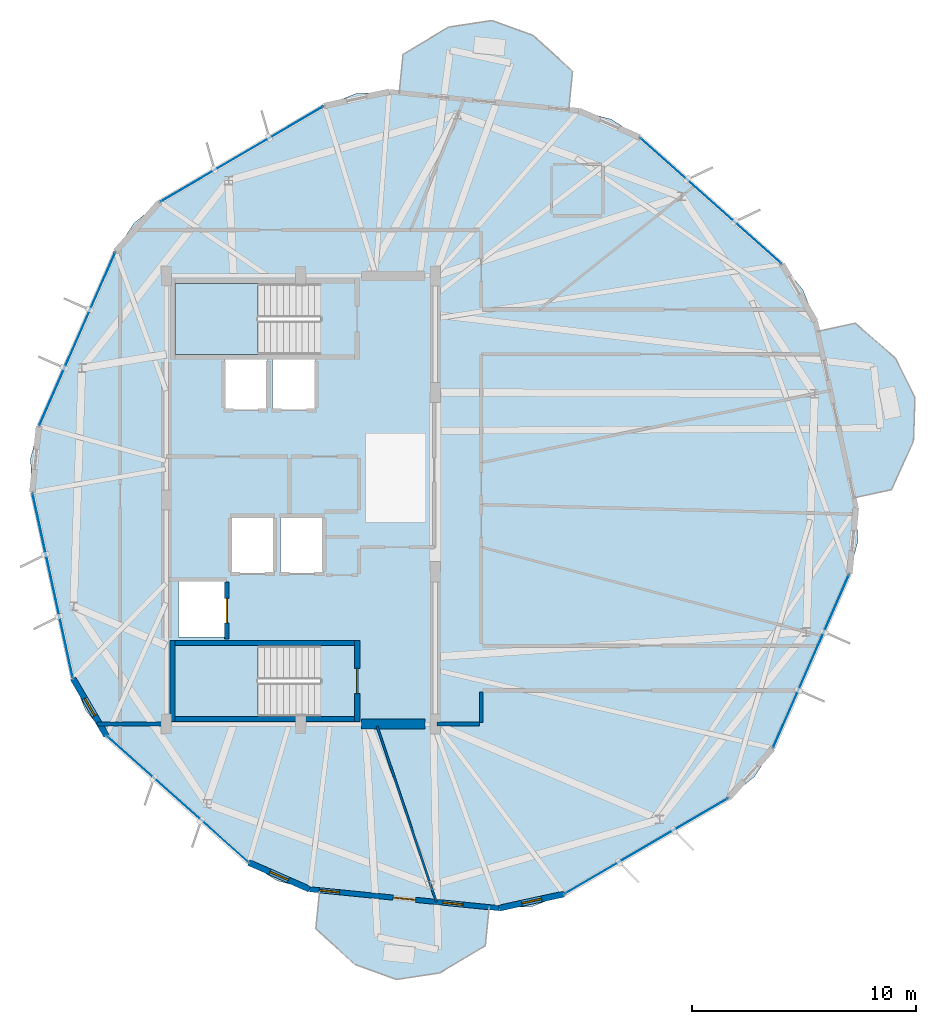
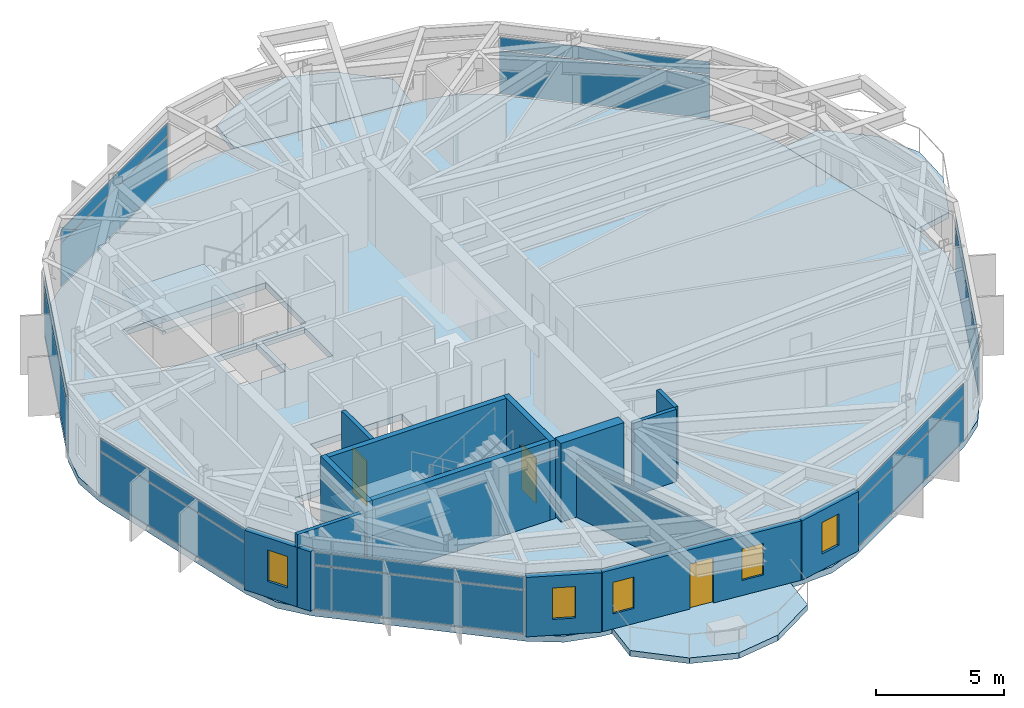
# One storey, part 19 of 25: 14 plates, 14 walls, 6 slabs, 5 windows, 3 doors, 8 openings, 9 elements without a shape of their own.
"""IFC4 building model written with IfcOpenShell, lengths in metres."""

from ifc_helpers import new_model, si_unit, direction, frame, frame_2d, origin, origin_2d, place, context, subcontext, project, spatial, polyline, rectangle, outline, extrude, material, layer, layer_set, type_object, element, fill, aggregate, save


model = new_model("IFC4")

# Units and contexts
model_context = context("Model", 3, precision=1e-05, world=origin(), true_north=direction((0.0, 1.0)))
body_context = subcontext(model_context, "Body", "Model", "MODEL_VIEW")
ifc_project = project(units=[si_unit("LENGTHUNIT", "METRE"), si_unit("AREAUNIT", "SQUARE_METRE"), si_unit("VOLUMEUNIT", "CUBIC_METRE"), si_unit("PLANEANGLEUNIT", "RADIAN"), si_unit("MASSUNIT", "GRAM", prefix="KILO")], contexts=[model_context])

# Site, building, storey
site_placement = place(None, origin())
site = spatial("IfcSite", under=ifc_project, at=site_placement, CompositionType="ELEMENT")
building_placement = place(site_placement, origin())
building = spatial("IfcBuilding", under=site, at=building_placement, Name="Soratama Intermodal Tower", CompositionType="ELEMENT")
storey_placement = place(building_placement, frame((0.0, 0.0, 276.25)))
storey = spatial("IfcBuildingStorey", under=building, at=storey_placement, Name="L70", CompositionType="ELEMENT", Elevation=276.25)

# Curtain wall, plates
ifc_material_1 = material(Name="Double-glazed aluminium curtain wall", Category="aluminium")
ifc_layer_1 = layer(ifc_material_1, 0.159912109375)
ifc_layer_set_1 = layer_set([ifc_layer_1], Name="Double-glazed aluminium curtain wall")
curtain_wall_type = type_object("IfcCurtainWallType", Name="CW-SYS-5", PredefinedType="NOTDEFINED", material=ifc_layer_set_1)
curtain_wall_1_placement = place(storey_placement, origin())
curtain_wall_1 = element("IfcCurtainWall", 1, at=curtain_wall_1_placement, inside=storey, type_object=curtain_wall_type, Name="L70 Faceted Curtain Wall F02", PredefinedType="NOTDEFINED")
ifc_material_2 = material(Name="Low-E laminated double glazing", Category="glass")
ifc_layer_2 = layer(ifc_material_2, 0.02001953125)
ifc_layer_set_2 = layer_set([ifc_layer_2], Name="Low-E laminated double glazing")
plate_type = type_object("IfcPlateType", Name="PT-CWP-5", PredefinedType="CURTAIN_PANEL", material=ifc_layer_set_2)
plate_1_placement = place(storey_placement, frame((35.979248046875, 40.4375, 0.06005859375), z_axis=(0.0, 0.0, 1.0), x_axis=(-0.863395039754, -0.504528498033, 0.0)))
plate_1 = element("IfcPlate", 2, at=plate_1_placement, type_object=plate_type, Name="CW-5 panel 1.1", PredefinedType="CURTAIN_PANEL", context=body_context, shape_type="SweptSolid", body=[
    extrude(rectangle(XDim=8.3798828125, YDim=0.028076171875, at=origin_2d()), origin(), (0.0, 0.0, 1.0), 2.06005859375),
])
plate_2_placement = place(storey_placement, frame((35.979248046875, 40.4375, 2.18017578125), z_axis=(0.0, 0.0, 1.0), x_axis=(-0.863395039754, -0.504528498033, 0.0)))
plate_2 = element("IfcPlate", 3, at=plate_2_placement, type_object=plate_type, Name="CW-5 panel 1.2", PredefinedType="CURTAIN_PANEL", context=body_context, shape_type="SweptSolid", body=[
    extrude(rectangle(XDim=8.3798828125, YDim=0.028076171875, at=origin_2d()), origin(), (0.0, 0.0, 1.0), 0.589111328125),
])
aggregate(curtain_wall_1, [plate_1, plate_2])

curtain_wall_2_placement = place(storey_placement, origin())
curtain_wall_2 = element("IfcCurtainWall", 4, at=curtain_wall_2_placement, inside=storey, type_object=curtain_wall_type, Name="L70 Faceted Curtain Wall F03", PredefinedType="NOTDEFINED")
plate_3_placement = place(storey_placement, frame((28.6279296875, 32.186767578125, 0.06005859375), z_axis=(0.0, 0.0, 1.0), x_axis=(-0.401952290369, -0.915660611945, 0.0)))
plate_3 = element("IfcPlate", 5, at=plate_3_placement, type_object=plate_type, Name="CW-5 panel 1.1", PredefinedType="CURTAIN_PANEL", context=body_context, shape_type="SweptSolid", body=[
    extrude(rectangle(XDim=8.3798828125, YDim=0.028076171875, at=origin_2d()), origin(), (0.0, 0.0, 1.0), 2.06005859375),
])
plate_4_placement = place(storey_placement, frame((28.6279296875, 32.186767578125, 2.18017578125), z_axis=(0.0, 0.0, 1.0), x_axis=(-0.401952290369, -0.915660611945, 0.0)))
plate_4 = element("IfcPlate", 6, at=plate_4_placement, type_object=plate_type, Name="CW-5 panel 1.2", PredefinedType="CURTAIN_PANEL", context=body_context, shape_type="SweptSolid", body=[
    extrude(rectangle(XDim=8.3798828125, YDim=0.028076171875, at=origin_2d()), origin(), (0.0, 0.0, 1.0), 0.589111328125),
])
aggregate(curtain_wall_2, [plate_3, plate_4])

curtain_wall_3_placement = place(storey_placement, origin())
curtain_wall_3 = element("IfcCurtainWall", 7, at=curtain_wall_3_placement, inside=storey, type_object=curtain_wall_type, Name="L70 Faceted Curtain Wall F04", PredefinedType="NOTDEFINED")
plate_5_placement = place(storey_placement, frame((27.530517578125, 21.191162109375, 0.06005859375), z_axis=(0.0, 0.0, 1.0), x_axis=(0.213028429004, -0.977046001187, 0.0)))
plate_5 = element("IfcPlate", 8, at=plate_5_placement, type_object=plate_type, Name="CW-5 panel 1.1", PredefinedType="CURTAIN_PANEL", context=body_context, shape_type="SweptSolid", body=[
    extrude(rectangle(XDim=8.3798828125, YDim=0.028076171875, at=origin_2d()), origin(), (0.0, 0.0, 1.0), 2.06005859375),
])
plate_6_placement = place(storey_placement, frame((27.530517578125, 21.191162109375, 2.18017578125), z_axis=(0.0, 0.0, 1.0), x_axis=(0.213028429004, -0.977046001187, 0.0)))
plate_6 = element("IfcPlate", 9, at=plate_6_placement, type_object=plate_type, Name="CW-5 panel 1.2", PredefinedType="CURTAIN_PANEL", context=body_context, shape_type="SweptSolid", body=[
    extrude(rectangle(XDim=8.3798828125, YDim=0.028076171875, at=origin_2d()), origin(), (0.0, 0.0, 1.0), 0.589111328125),
])
aggregate(curtain_wall_3, [plate_5, plate_6])

curtain_wall_4_placement = place(storey_placement, origin())
curtain_wall_4 = element("IfcCurtainWall", 10, at=curtain_wall_4_placement, inside=storey, type_object=curtain_wall_type, Name="L70 Faceted Curtain Wall F05", PredefinedType="NOTDEFINED")
plate_7_placement = place(storey_placement, frame((33.105712890625, 11.650146484375, 0.06005859375), z_axis=(0.0, 0.0, 1.0), x_axis=(0.746635087881, -0.665233827722, 0.0)))
plate_7 = element("IfcPlate", 11, at=plate_7_placement, type_object=plate_type, Name="CW-5 panel 1.1", PredefinedType="CURTAIN_PANEL", context=body_context, shape_type="SweptSolid", body=[
    extrude(rectangle(XDim=8.3798828125, YDim=0.028076171875, at=origin_2d()), origin(), (0.0, 0.0, 1.0), 2.06005859375),
])
plate_8_placement = place(storey_placement, frame((33.105712890625, 11.650146484375, 2.18017578125), z_axis=(0.0, 0.0, 1.0), x_axis=(0.746635087881, -0.665233827722, 0.0)))
plate_8 = element("IfcPlate", 12, at=plate_8_placement, type_object=plate_type, Name="CW-5 panel 1.2", PredefinedType="CURTAIN_PANEL", context=body_context, shape_type="SweptSolid", body=[
    extrude(rectangle(XDim=8.3798828125, YDim=0.028076171875, at=origin_2d()), origin(), (0.0, 0.0, 1.0), 0.589111328125),
])
aggregate(curtain_wall_4, [plate_7, plate_8])

curtain_wall_5_placement = place(storey_placement, origin())
curtain_wall_5 = element("IfcCurtainWall", 13, at=curtain_wall_5_placement, inside=storey, type_object=curtain_wall_type, Name="L70 Faceted Curtain Wall F07", PredefinedType="NOTDEFINED")
plate_9_placement = place(storey_placement, frame((54.020751953125, 9.5625, 0.06005859375), z_axis=(0.0, 0.0, 1.0), x_axis=(0.863395039754, 0.504528498033, 0.0)))
plate_9 = element("IfcPlate", 14, at=plate_9_placement, type_object=plate_type, Name="CW-5 panel 1.1", PredefinedType="CURTAIN_PANEL", context=body_context, shape_type="SweptSolid", body=[
    extrude(rectangle(XDim=8.3798828125, YDim=0.028076171875, at=origin_2d()), origin(), (0.0, 0.0, 1.0), 2.06005859375),
])
plate_10_placement = place(storey_placement, frame((54.020751953125, 9.5625, 2.18017578125), z_axis=(0.0, 0.0, 1.0), x_axis=(0.863395039754, 0.504528498033, 0.0)))
plate_10 = element("IfcPlate", 15, at=plate_10_placement, type_object=plate_type, Name="CW-5 panel 1.2", PredefinedType="CURTAIN_PANEL", context=body_context, shape_type="SweptSolid", body=[
    extrude(rectangle(XDim=8.3798828125, YDim=0.028076171875, at=origin_2d()), origin(), (0.0, 0.0, 1.0), 0.589111328125),
])
aggregate(curtain_wall_5, [plate_9, plate_10])

curtain_wall_6_placement = place(storey_placement, origin())
curtain_wall_6 = element("IfcCurtainWall", 16, at=curtain_wall_6_placement, inside=storey, type_object=curtain_wall_type, Name="L70 Faceted Curtain Wall F08", PredefinedType="NOTDEFINED")
plate_11_placement = place(storey_placement, frame((61.3720703125, 17.813232421875, 0.06005859375), z_axis=(0.0, 0.0, 1.0), x_axis=(0.401952290369, 0.915660611945, 0.0)))
plate_11 = element("IfcPlate", 17, at=plate_11_placement, type_object=plate_type, Name="CW-5 panel 1.1", PredefinedType="CURTAIN_PANEL", context=body_context, shape_type="SweptSolid", body=[
    extrude(rectangle(XDim=8.3798828125, YDim=0.028076171875, at=origin_2d()), origin(), (0.0, 0.0, 1.0), 2.06005859375),
])
plate_12_placement = place(storey_placement, frame((61.3720703125, 17.813232421875, 2.18017578125), z_axis=(0.0, 0.0, 1.0), x_axis=(0.401952290369, 0.915660611945, 0.0)))
plate_12 = element("IfcPlate", 18, at=plate_12_placement, type_object=plate_type, Name="CW-5 panel 1.2", PredefinedType="CURTAIN_PANEL", context=body_context, shape_type="SweptSolid", body=[
    extrude(rectangle(XDim=8.3798828125, YDim=0.028076171875, at=origin_2d()), origin(), (0.0, 0.0, 1.0), 0.589111328125),
])
aggregate(curtain_wall_6, [plate_11, plate_12])

curtain_wall_7_placement = place(storey_placement, origin())
curtain_wall_7 = element("IfcCurtainWall", 19, at=curtain_wall_7_placement, inside=storey, type_object=curtain_wall_type, Name="L70 Faceted Curtain Wall F10", PredefinedType="NOTDEFINED")
plate_13_placement = place(storey_placement, frame((56.894287109375, 38.349853515625, 0.06005859375), z_axis=(0.0, 0.0, 1.0), x_axis=(-0.746635087881, 0.665233827722, 0.0)))
plate_13 = element("IfcPlate", 20, at=plate_13_placement, type_object=plate_type, Name="CW-5 panel 1.1", PredefinedType="CURTAIN_PANEL", context=body_context, shape_type="SweptSolid", body=[
    extrude(rectangle(XDim=8.3798828125, YDim=0.028076171875, at=origin_2d()), origin(), (0.0, 0.0, 1.0), 2.06005859375),
])
plate_14_placement = place(storey_placement, frame((56.894287109375, 38.349853515625, 2.18017578125), z_axis=(0.0, 0.0, 1.0), x_axis=(-0.746635087881, 0.665233827722, 0.0)))
plate_14 = element("IfcPlate", 21, at=plate_14_placement, type_object=plate_type, Name="CW-5 panel 1.2", PredefinedType="CURTAIN_PANEL", context=body_context, shape_type="SweptSolid", body=[
    extrude(rectangle(XDim=8.3798828125, YDim=0.028076171875, at=origin_2d()), origin(), (0.0, 0.0, 1.0), 0.589111328125),
])
aggregate(curtain_wall_7, [plate_13, plate_14])

# Slabs
ifc_material_3 = material(Name="Concrete f'c 42 MPa", Category="concrete")
ifc_layer_3 = layer(ifc_material_3, 0.27001953125)
ifc_layer_set_3 = layer_set([ifc_layer_3], Name="Concrete f'c 42 MPa")
slab_type_1 = type_object("IfcSlabType", Name="SL-EXT-BAL1", PredefinedType="FLOOR", material=ifc_layer_set_3)
slab_1_placement = place(storey_placement, frame((0.0, 0.0, -0.27001953125)))
element("IfcSlab", 22, at=slab_1_placement, inside=storey, type_object=slab_type_1, Name="L70 Planted Balcony East 1", PredefinedType="FLOOR", context=body_context, shape_type="SweptSolid", body=[
    extrude(outline(polyline([(63.27880859375, 25.09619140625), (61.659912109375, 32.521484375), (63.340576171875, 32.887939453125), (65.1279296875, 31.333251953125), (66.00634765625, 29.580078125), (65.9375, 27.62060546875), (64.95947265625, 25.462646484375), (63.27880859375, 25.09619140625)])), origin(), (0.0, 0.0, 1.0), 0.27001953125),
])
slab_2_placement = place(storey_placement, frame((0.0, 0.0, -0.27001953125)))
element("IfcSlab", 23, at=slab_2_placement, inside=storey, type_object=slab_type_1, Name="L70 Planted Balcony North 2", PredefinedType="FLOOR", context=body_context, shape_type="SweptSolid", body=[
    extrude(outline(polyline([(50.556884765625, 42.4140625), (42.99462890625, 43.1689453125), (43.16552734375, 44.88037109375), (45.196533203125, 46.099853515625), (47.13525390625, 46.3935546875), (48.977783203125, 45.722412109375), (50.727783203125, 44.12548828125), (50.556884765625, 42.4140625)])), origin(), (0.0, 0.0, 1.0), 0.27001953125),
])
slab_3_placement = place(storey_placement, frame((0.0, 0.0, -0.27001953125)))
element("IfcSlab", 24, at=slab_3_placement, inside=storey, type_object=slab_type_1, Name="L70 Planted Balcony South 3", PredefinedType="FLOOR", context=body_context, shape_type="SweptSolid", body=[
    extrude(outline(polyline([(39.443115234375, 7.5859375), (47.00537109375, 6.8310546875), (46.83447265625, 5.11962890625), (44.803466796875, 3.900146484375), (42.86474609375, 3.6064453125), (41.022216796875, 4.277587890625), (39.272216796875, 5.87451171875), (39.443115234375, 7.5859375)])), origin(), (0.0, 0.0, 1.0), 0.27001953125),
])

# Stair, slab
ifc_material_4 = material(Name="Concrete f'c 42 MPa", Category="concrete")
stair_type = type_object("IfcStairType", Name="ST-CORE-DOGLEG", PredefinedType="HALF_TURN_STAIR", material=ifc_material_4)
stair_1_placement = place(storey_placement, origin())
stair_1 = element("IfcStair", 25, at=stair_1_placement, inside=storey, type_object=stair_type, Name="L70 ST-1", PredefinedType="HALF_TURN_STAIR")
ifc_material_5 = material(Name="Concrete f'c 42 MPa", Category="concrete")
ifc_layer_4 = layer(ifc_material_5, 0.219970703125)
ifc_layer_set_4 = layer_set([ifc_layer_4], Name="Concrete f'c 42 MPa")
slab_type_2 = type_object("IfcSlabType", Name="SL-STAIR-LAND", PredefinedType="LANDING", material=ifc_layer_set_4)
slab_4_placement = place(storey_placement, frame((0.0, 0.0, 1.675048828125)))
slab_4 = element("IfcSlab", 26, at=slab_4_placement, type_object=slab_type_2, Name="ST-1 landing 1", PredefinedType="LANDING", context=body_context, shape_type="SweptSolid", body=[
    extrude(outline(polyline([(36.699951171875, 18.5), (33.0, 18.5), (33.0, 15.35009765625), (36.699951171875, 15.35009765625), (36.699951171875, 18.5)])), origin(), (0.0, 0.0, 1.0), 0.199951171875),
])
aggregate(stair_1, [slab_4])

stair_2_placement = place(storey_placement, origin())
stair_2 = element("IfcStair", 27, at=stair_2_placement, inside=storey, type_object=stair_type, Name="L70 ST-2", PredefinedType="HALF_TURN_STAIR")
slab_5_placement = place(storey_placement, frame((0.0, 0.0, 1.675048828125)))
slab_5 = element("IfcSlab", 28, at=slab_5_placement, type_object=slab_type_2, Name="ST-2 landing 1", PredefinedType="LANDING", context=body_context, shape_type="SweptSolid", body=[
    extrude(outline(polyline([(36.699951171875, 34.64990234375), (33.0, 34.64990234375), (33.0, 31.5), (36.699951171875, 31.5), (36.699951171875, 34.64990234375)])), origin(), (0.0, 0.0, 1.0), 0.199951171875),
])
aggregate(stair_2, [slab_5])

# Slab
ifc_material_6 = material(Name="Concrete f'c 42 MPa", Category="concrete")
ifc_layer_5 = layer(ifc_material_6, 0.280029296875)
ifc_layer_set_5 = layer_set([ifc_layer_5], Name="Concrete f'c 42 MPa")
slab_type_3 = type_object("IfcSlabType", Name="SL-TWR-280", PredefinedType="FLOOR", material=ifc_layer_set_5)
slab_6_placement = place(storey_placement, frame((0.0, 0.0, -0.300048828125)))
element("IfcSlab", 29, at=slab_6_placement, inside=storey, type_object=slab_type_3, Name="L70 Structural Floor Slab", PredefinedType="FLOOR", context=body_context, shape_type="SweptSolid", body=[
    extrude(outline(polyline([(53.72119140625, 41.177001953125), (52.457275390625, 41.98828125), (51.004638671875, 42.369384765625), (42.546875, 43.213623046875), (41.047607421875, 43.127197265625), (39.6484375, 42.58154296875), (32.309814453125, 38.293212890625), (31.147705078125, 37.342041015625), (30.336181640625, 36.078125), (26.919921875, 28.29541015625), (26.538818359375, 26.8427734375), (26.625244140625, 25.343505859375), (28.435791015625, 17.038818359375), (28.9814453125, 15.639404296875), (29.9326171875, 14.477294921875), (36.27880859375, 8.822998046875), (37.542724609375, 8.01171875), (38.995361328125, 7.630615234375), (47.453125, 6.786376953125), (48.952392578125, 6.872802734375), (50.3515625, 7.41845703125), (57.690185546875, 11.706787109375), (58.852294921875, 12.657958984375), (59.663818359375, 13.921875), (63.080078125, 21.70458984375), (63.461181640625, 23.1572265625), (63.374755859375, 24.656494140625), (61.564208984375, 32.961181640625), (61.0185546875, 34.360595703125), (60.0673828125, 35.522705078125), (53.72119140625, 41.177001953125)]), holes=[polyline([(33.0, 15.35009765625), (39.47509765625, 15.35009765625), (39.47509765625, 18.5), (33.0, 18.5), (33.0, 15.35009765625)]), polyline([(35.260009765625, 21.409912109375), (33.139892578125, 21.409912109375), (33.139892578125, 18.889892578125), (35.260009765625, 18.889892578125), (35.260009765625, 21.409912109375)]), polyline([(37.409912109375, 24.260009765625), (35.489990234375, 24.260009765625), (35.489990234375, 21.739990234375), (37.409912109375, 21.739990234375), (37.409912109375, 24.260009765625)]), polyline([(39.610107421875, 24.260009765625), (37.68994140625, 24.260009765625), (37.68994140625, 21.739990234375), (39.610107421875, 21.739990234375), (39.610107421875, 24.260009765625)]), polyline([(37.110107421875, 31.260009765625), (35.18994140625, 31.260009765625), (35.18994140625, 29.0400390625), (37.110107421875, 29.0400390625), (37.110107421875, 31.260009765625)]), polyline([(39.260009765625, 31.260009765625), (37.340087890625, 31.260009765625), (37.340087890625, 29.0400390625), (39.260009765625, 29.0400390625), (39.260009765625, 31.260009765625)]), polyline([(33.0, 34.64990234375), (33.0, 31.5), (39.47509765625, 31.5), (39.47509765625, 34.64990234375), (33.0, 34.64990234375)])]), origin(), (0.0, 0.0, 1.0), 0.300048828125),
])

# Wall, openings, door, windows
ifc_material_7 = material(Name="Concrete f'c 42 MPa", Category="concrete")
ifc_layer_6 = layer(ifc_material_7, 0.22998046875)
ifc_layer_set_6 = layer_set([ifc_layer_6], Name="Concrete f'c 42 MPa")
wall_type_1 = type_object("IfcWallType", Name="EW-BAL-230", PredefinedType="SOLIDWALL", material=ifc_layer_set_6)
wall_1_placement = place(storey_placement, frame((38.995361328125, 7.630615234375, 0.0), z_axis=(0.0, 0.0, 1.0), x_axis=(0.995055090482, -0.099324553384, 0.0)))
wall_1 = element("IfcWall", 30, at=wall_1_placement, inside=storey, type_object=wall_type_1, Name="L70 Terrace Wall F06", PredefinedType="SOLIDWALL", context=body_context, shape_type="SweptSolid", body=[
    extrude(rectangle(XDim=8.499755859375, YDim=0.22998046875, at=frame_2d((4.25, 0.0))), origin(), (0.0, 0.0, 1.0), 2.8291015625),
])
opening_1_placement = place(wall_1_placement, frame((3.75, 0.0, 0.0)))
opening_1 = element("IfcOpeningElement", 31, at=opening_1_placement, cuts=wall_1, Name="Opening ED-2", PredefinedType="OPENING", context=body_context, shape_type="SweptSolid", body=[
    extrude(rectangle(XDim=1.0, YDim=2.14990234375, at=frame_2d((0.5, 1.074951171875))), frame((0.0, 0.125, 0.0), z_axis=(0.0, -1.0, 0.0), x_axis=(1.0, 0.0, 0.0)), (0.0, 0.0, 1.0), 0.25),
])
opening_2_placement = place(wall_1_placement, frame((0.43994140625, 0.0, 0.719970703125)))
opening_2 = element("IfcOpeningElement", 32, at=opening_2_placement, cuts=wall_1, Name="Opening WN-6", PredefinedType="OPENING", context=body_context, shape_type="SweptSolid", body=[
    extrude(rectangle(XDim=0.89990234375, YDim=1.5, at=frame_2d((0.449951171875, 0.75))), frame((0.0, 0.125, 0.0), z_axis=(0.0, -1.0, 0.0), x_axis=(1.0, 0.0, 0.0)), (0.0, 0.0, 1.0), 0.25),
])
opening_3_placement = place(wall_1_placement, frame((5.97998046875, 0.0, 0.719970703125)))
opening_3 = element("IfcOpeningElement", 33, at=opening_3_placement, cuts=wall_1, Name="Opening WN-6", PredefinedType="OPENING", context=body_context, shape_type="SweptSolid", body=[
    extrude(rectangle(XDim=0.89990234375, YDim=1.5, at=frame_2d((0.449951171875, 0.75))), frame((0.0, 0.125, 0.0), z_axis=(0.0, -1.0, 0.0), x_axis=(1.0, 0.0, 0.0)), (0.0, 0.0, 1.0), 0.25),
])
ifc_material_8 = material(Name="Double-glazed aluminium door", Category="aluminium")
door_type_1 = type_object("IfcDoorType", Name="DR-BAL-1000", OperationType="NOTDEFINED", PredefinedType="DOOR", material=ifc_material_8)
door_1_placement = place(opening_1_placement, origin())
door_1 = element("IfcDoor", 34, at=door_1_placement, inside=storey, type_object=door_type_1, Name="L70 Balcony Door F06", OperationType="SINGLE_SWING_RIGHT", OverallHeight=2.14990234375, OverallWidth=1.0, PredefinedType="DOOR", context=body_context, shape_type="SweptSolid", body=[
    extrude(rectangle(XDim=1.0, YDim=2.14990234375, at=frame_2d((0.5, 1.074951171875))), frame((0.0, 0.02490234375, 0.0), z_axis=(0.0, -1.0, 0.0), x_axis=(1.0, 0.0, 0.0)), (0.0, 0.0, 1.0), 0.050048828125),
])
fill(opening_1, door_1)
ifc_material_9 = material(Name="Double-glazed aluminium window", Category="aluminium")
window_type = type_object("IfcWindowType", Name="WN-FAC-900", PartitioningType="SINGLE_PANEL", PredefinedType="WINDOW", material=ifc_material_9)
window_1_placement = place(opening_2_placement, origin())
window_1 = element("IfcWindow", 35, at=window_1_placement, inside=storey, type_object=window_type, Name="L70 Window A F06", OverallHeight=1.5, OverallWidth=0.89990234375, PartitioningType="SINGLE_PANEL", PredefinedType="WINDOW", context=body_context, shape_type="SweptSolid", body=[
    extrude(rectangle(XDim=0.89990234375, YDim=1.5, at=frame_2d((0.449951171875, 0.75))), frame((0.0, 0.030029296875, 0.0), z_axis=(0.0, -1.0, 0.0), x_axis=(1.0, 0.0, 0.0)), (0.0, 0.0, 1.0), 0.06005859375),
])
fill(opening_2, window_1)
window_2_placement = place(opening_3_placement, origin())
window_2 = element("IfcWindow", 36, at=window_2_placement, inside=storey, type_object=window_type, Name="L70 Window B F06", OverallHeight=1.5, OverallWidth=0.89990234375, PartitioningType="SINGLE_PANEL", PredefinedType="WINDOW", context=body_context, shape_type="SweptSolid", body=[
    extrude(rectangle(XDim=0.89990234375, YDim=1.5, at=frame_2d((0.449951171875, 0.75))), frame((0.0, 0.030029296875, 0.0), z_axis=(0.0, -1.0, 0.0), x_axis=(1.0, 0.0, 0.0)), (0.0, 0.0, 1.0), 0.06005859375),
])
fill(opening_3, window_2)

# Wall, opening, window
ifc_material_10 = material(Name="Concrete f'c 42 MPa", Category="concrete")
ifc_layer_7 = layer(ifc_material_10, 0.27001953125)
ifc_layer_set_7 = layer_set([ifc_layer_7], Name="Concrete f'c 42 MPa")
wall_type_2 = type_object("IfcWallType", Name="EW-CRN-270", PredefinedType="SOLIDWALL", material=ifc_layer_set_7)
wall_2_placement = place(storey_placement, frame((28.435791015625, 17.038818359375, 0.0), z_axis=(0.0, 0.0, 1.0), x_axis=(0.504525797249, -0.863396617963, 0.0)))
wall_2 = element("IfcWall", 37, at=wall_2_placement, inside=storey, type_object=wall_type_2, Name="L70 Corner Closure Wall 04", PredefinedType="SOLIDWALL", context=body_context, shape_type="SweptSolid", body=[
    extrude(rectangle(XDim=2.966796875, YDim=0.27001953125, at=frame_2d((1.4833984375, 0.0))), origin(), (0.0, 0.0, 1.0), 2.8291015625),
])
opening_4_placement = place(wall_2_placement, frame((1.033203125, 0.0, 0.75)))
opening_4 = element("IfcOpeningElement", 38, at=opening_4_placement, cuts=wall_2, Name="Opening WN-6", PredefinedType="OPENING", context=body_context, shape_type="SweptSolid", body=[
    extrude(rectangle(XDim=0.89990234375, YDim=1.5, at=frame_2d((0.449951171875, 0.75))), frame((0.0, 0.14501953125, 0.0), z_axis=(0.0, -1.0, 0.0), x_axis=(1.0, 0.0, 0.0)), (0.0, 0.0, 1.0), 0.2900390625),
])
window_3_placement = place(opening_4_placement, origin())
window_3 = element("IfcWindow", 39, at=window_3_placement, inside=storey, type_object=window_type, Name="L70 Corner Window 04", OverallHeight=1.5, OverallWidth=0.89990234375, PartitioningType="SINGLE_PANEL", PredefinedType="WINDOW", context=body_context, shape_type="SweptSolid", body=[
    extrude(rectangle(XDim=0.89990234375, YDim=1.5, at=frame_2d((0.449951171875, 0.75))), frame((0.0, 0.030029296875, 0.0), z_axis=(0.0, -1.0, 0.0), x_axis=(1.0, 0.0, 0.0)), (0.0, 0.0, 1.0), 0.06005859375),
])
fill(opening_4, window_3)

wall_3_placement = place(storey_placement, frame((36.27880859375, 8.822998046875, 0.0), z_axis=(0.0, 0.0, 1.0), x_axis=(0.915675056673, -0.401919383193, 0.0)))
wall_3 = element("IfcWall", 40, at=wall_3_placement, inside=storey, type_object=wall_type_2, Name="L70 Corner Closure Wall 05", PredefinedType="SOLIDWALL", context=body_context, shape_type="SweptSolid", body=[
    extrude(rectangle(XDim=2.966796875, YDim=0.27001953125, at=frame_2d((1.4833984375, 0.0))), origin(), (0.0, 0.0, 1.0), 2.8291015625),
])
opening_5_placement = place(wall_3_placement, frame((1.033203125, 0.0, 0.75)))
opening_5 = element("IfcOpeningElement", 41, at=opening_5_placement, cuts=wall_3, Name="Opening WN-6", PredefinedType="OPENING", context=body_context, shape_type="SweptSolid", body=[
    extrude(rectangle(XDim=0.89990234375, YDim=1.5, at=frame_2d((0.449951171875, 0.75))), frame((0.0, 0.14501953125, 0.0), z_axis=(0.0, -1.0, 0.0), x_axis=(1.0, 0.0, 0.0)), (0.0, 0.0, 1.0), 0.2900390625),
])
window_4_placement = place(opening_5_placement, origin())
window_4 = element("IfcWindow", 42, at=window_4_placement, inside=storey, type_object=window_type, Name="L70 Corner Window 05", OverallHeight=1.5, OverallWidth=0.89990234375, PartitioningType="SINGLE_PANEL", PredefinedType="WINDOW", context=body_context, shape_type="SweptSolid", body=[
    extrude(rectangle(XDim=0.89990234375, YDim=1.5, at=frame_2d((0.449951171875, 0.75))), frame((0.0, 0.030029296875, 0.0), z_axis=(0.0, -1.0, 0.0), x_axis=(1.0, 0.0, 0.0)), (0.0, 0.0, 1.0), 0.06005859375),
])
fill(opening_5, window_4)

wall_4_placement = place(storey_placement, frame((47.453125, 6.786376953125, 0.0), z_axis=(0.0, 0.0, 1.0), x_axis=(0.977037259255, 0.21306851956, 0.0)))
wall_4 = element("IfcWall", 43, at=wall_4_placement, inside=storey, type_object=wall_type_2, Name="L70 Corner Closure Wall 06", PredefinedType="SOLIDWALL", context=body_context, shape_type="SweptSolid", body=[
    extrude(rectangle(XDim=2.966552734375, YDim=0.27001953125, at=frame_2d((1.4833984375, 0.0))), origin(), (0.0, 0.0, 1.0), 2.8291015625),
])
opening_6_placement = place(wall_4_placement, frame((1.033203125, 0.0, 0.75)))
opening_6 = element("IfcOpeningElement", 44, at=opening_6_placement, cuts=wall_4, Name="Opening WN-6", PredefinedType="OPENING", context=body_context, shape_type="SweptSolid", body=[
    extrude(rectangle(XDim=0.89990234375, YDim=1.5, at=frame_2d((0.449951171875, 0.75))), frame((0.0, 0.14501953125, 0.0), z_axis=(0.0, -1.0, 0.0), x_axis=(1.0, 0.0, 0.0)), (0.0, 0.0, 1.0), 0.2900390625),
])
window_5_placement = place(opening_6_placement, origin())
window_5 = element("IfcWindow", 45, at=window_5_placement, inside=storey, type_object=window_type, Name="L70 Corner Window 06", OverallHeight=1.5, OverallWidth=0.89990234375, PartitioningType="SINGLE_PANEL", PredefinedType="WINDOW", context=body_context, shape_type="SweptSolid", body=[
    extrude(rectangle(XDim=0.89990234375, YDim=1.5, at=frame_2d((0.449951171875, 0.75))), frame((0.0, 0.030029296875, 0.0), z_axis=(0.0, -1.0, 0.0), x_axis=(1.0, 0.0, 0.0)), (0.0, 0.0, 1.0), 0.06005859375),
])
fill(opening_6, window_5)

# Walls
ifc_material_11 = material(Name="Fire-rated gypsum stud partition", Category="concrete")
ifc_layer_8 = layer(ifc_material_11, 0.169921875)
ifc_layer_set_8 = layer_set([ifc_layer_8], Name="Fire-rated gypsum stud partition")
wall_type_3 = type_object("IfcWallType", Name="IW-PART-R170", PredefinedType="PARTITIONING", material=ifc_layer_set_8)
wall_5_placement = place(storey_placement, frame((32.530029296875, 15.0, 0.0), z_axis=(0.0, 0.0, 1.0), x_axis=(-1.0, 0.0, 0.0)))
element("IfcWall", 46, at=wall_5_placement, inside=storey, type_object=wall_type_3, Name="L70 Partition W-L70-TP020", PredefinedType="PARTITIONING", context=body_context, shape_type="SweptSolid", body=[
    extrude(rectangle(XDim=3.025146484375, YDim=0.169921875, at=frame_2d((1.5126953125, 0.0))), origin(), (0.0, 0.0, 1.0), 3.449951171875),
])
wall_6_placement = place(storey_placement, frame((46.580078125, 15.0, 0.0), z_axis=(0.0, 0.0, 1.0), x_axis=(-1.0, 0.0, 0.0)))
element("IfcWall", 47, at=wall_6_placement, inside=storey, type_object=wall_type_3, Name="L70 Partition W-L70-TP029", PredefinedType="PARTITIONING", context=body_context, shape_type="SweptSolid", body=[
    extrude(rectangle(XDim=1.91015625, YDim=0.169921875, at=frame_2d((0.955078125, 0.0))), origin(), (0.0, 0.0, 1.0), 3.449951171875),
])
wall_7_placement = place(storey_placement, frame((46.64990234375, 16.429931640625, 0.0), z_axis=(0.0, 0.0, 1.0), x_axis=(0.0, -1.0, 0.0)))
element("IfcWall", 48, at=wall_7_placement, inside=storey, type_object=wall_type_3, Name="L70 Partition W-L70-TP034", PredefinedType="PARTITIONING", context=body_context, shape_type="SweptSolid", body=[
    extrude(rectangle(XDim=1.35986328125, YDim=0.169921875, at=frame_2d((0.679931640625, 0.0))), origin(), (0.0, 0.0, 1.0), 3.449951171875),
])
ifc_material_12 = material(Name="Fire-rated gypsum stud partition", Category="concrete")
ifc_layer_9 = layer(ifc_material_12, 0.10009765625)
ifc_layer_set_9 = layer_set([ifc_layer_9], Name="Fire-rated gypsum stud partition")
wall_type_4 = type_object("IfcWallType", Name="IW-PART-S100", PredefinedType="PARTITIONING", material=ifc_layer_set_9)
wall_8_placement = place(storey_placement, frame((42.0048828125, 14.907958984375, 0.0), z_axis=(0.0, 0.0, 1.0), x_axis=(0.319703500681, -0.947517636592, 0.0)))
element("IfcWall", 49, at=wall_8_placement, inside=storey, type_object=wall_type_4, Name="L70 Partition W-L70-TP011", PredefinedType="PARTITIONING", context=body_context, shape_type="SweptSolid", body=[
    extrude(rectangle(XDim=8.2763671875, YDim=0.10009765625, at=frame_2d((4.13818359375, 0.0))), origin(), (0.0, 0.0, 1.0), 2.7451171875),
])

# Wall, opening, door
ifc_material_13 = material(Name="Concrete f'c 42 MPa", Category="concrete")
ifc_layer_10 = layer(ifc_material_13, 0.18505859375)
ifc_layer_set_10 = layer_set([ifc_layer_10], Name="Concrete f'c 42 MPa")
wall_type_5 = type_object("IfcWallType", Name="IW-SHAFT-185", PredefinedType="SOLIDWALL", material=ifc_layer_set_10)
wall_9_placement = place(storey_placement, frame((35.300048828125, 18.7900390625, 0.0), z_axis=(0.0, 0.0, 1.0), x_axis=(0.0, 1.0, 0.0)))
wall_9 = element("IfcWall", 50, at=wall_9_placement, inside=storey, type_object=wall_type_5, Name="L70 SVL-1 Hoistway Wall E", PredefinedType="SOLIDWALL", context=body_context, shape_type="SweptSolid", body=[
    extrude(rectangle(XDim=2.550048828125, YDim=0.18505859375, at=frame_2d((1.27490234375, 0.0))), origin(), (0.0, 0.0, 1.0), 3.449951171875),
])
opening_7_placement = place(wall_9_placement, frame((0.72509765625, 0.0, 0.0)))
opening_7 = element("IfcOpeningElement", 51, at=opening_7_placement, cuts=wall_9, Name="Opening LD-1", PredefinedType="OPENING", context=body_context, shape_type="SweptSolid", body=[
    extrude(rectangle(XDim=1.10009765625, YDim=2.14990234375, at=frame_2d((0.550048828125, 1.074951171875))), frame((0.0, 0.1025390625, 0.0), z_axis=(0.0, -1.0, 0.0), x_axis=(1.0, 0.0, 0.0)), (0.0, 0.0, 1.0), 0.205078125),
])
ifc_material_14 = material(Name="Steel fire door", Category="steel")
door_type_2 = type_object("IfcDoorType", Name="DR-LIFT-SLIDE", OperationType="NOTDEFINED", PredefinedType="DOOR", material=ifc_material_14)
door_2_placement = place(opening_7_placement, origin())
door_2 = element("IfcDoor", 52, at=door_2_placement, inside=storey, type_object=door_type_2, Name="L70 SVL-1 Sliding Landing Door", OperationType="SLIDING_TO_LEFT", OverallHeight=2.14990234375, OverallWidth=1.10009765625, PredefinedType="DOOR", context=body_context, shape_type="SweptSolid", body=[
    extrude(rectangle(XDim=1.10009765625, YDim=2.14990234375, at=frame_2d((0.550048828125, 1.074951171875))), frame((0.0, 0.02490234375, 0.0), z_axis=(0.0, -1.0, 0.0), x_axis=(1.0, 0.0, 0.0)), (0.0, 0.0, 1.0), 0.050048828125),
])
fill(opening_7, door_2)

# Walls
ifc_material_15 = material(Name="Concrete f'c 56 MPa", Category="concrete")
ifc_layer_11 = layer(ifc_material_15, 0.449951171875)
ifc_layer_set_11 = layer_set([ifc_layer_11], Name="Concrete f'c 56 MPa")
wall_type_6 = type_object("IfcWallType", Name="SW-CORE-450", PredefinedType="SHEAR", material=ifc_layer_set_11)
wall_10_placement = place(storey_placement, frame((41.300048828125, 15.0, 0.0), z_axis=(0.0, 0.0, 1.0), x_axis=(1.0, 0.0, 0.0)))
element("IfcWall", 53, at=wall_10_placement, inside=storey, type_object=wall_type_6, Name="L70 Core Shear Wall CW-SE", PredefinedType="SHEAR", context=body_context, shape_type="SweptSolid", body=[
    extrude(rectangle(XDim=2.849853515625, YDim=0.449951171875, at=frame_2d((1.4248046875, 0.0))), origin(), (0.0, 0.0, 1.0), 3.75),
])
ifc_material_16 = material(Name="Concrete f'c 56 MPa", Category="concrete")
ifc_layer_12 = layer(ifc_material_16, 0.239990234375)
ifc_layer_set_12 = layer_set([ifc_layer_12], Name="Concrete f'c 56 MPa")
wall_type_7 = type_object("IfcWallType", Name="SW-STAIR-240", PredefinedType="SHEAR", material=ifc_layer_set_12)
wall_11_placement = place(storey_placement, frame((32.8798828125, 15.110107421875, 0.0), z_axis=(0.0, 0.0, 1.0), x_axis=(0.0, 1.0, 0.0)))
element("IfcWall", 54, at=wall_11_placement, inside=storey, type_object=wall_type_7, Name="L70 ST-1 Shaft Shear Wall W", PredefinedType="SHEAR", context=body_context, shape_type="SweptSolid", body=[
    extrude(rectangle(XDim=3.6298828125, YDim=0.239990234375, at=frame_2d((1.81494140625, 0.0))), origin(), (0.0, 0.0, 1.0), 3.75),
])

# Wall, opening, door
wall_12_placement = place(storey_placement, frame((41.1201171875, 15.110107421875, 0.0), z_axis=(0.0, 0.0, 1.0), x_axis=(0.0, 1.0, 0.0)))
wall_12 = element("IfcWall", 55, at=wall_12_placement, inside=storey, type_object=wall_type_7, Name="L70 ST-1 Shaft Shear Wall E", PredefinedType="SHEAR", context=body_context, shape_type="SweptSolid", body=[
    extrude(rectangle(XDim=3.6298828125, YDim=0.239990234375, at=frame_2d((1.81494140625, 0.0))), origin(), (0.0, 0.0, 1.0), 3.75),
])
opening_8_placement = place(wall_12_placement, frame((1.2548828125, 0.0, 0.0)))
opening_8 = element("IfcOpeningElement", 56, at=opening_8_placement, cuts=wall_12, Name="Opening SD-1", PredefinedType="OPENING", context=body_context, shape_type="SweptSolid", body=[
    extrude(rectangle(XDim=1.1201171875, YDim=2.14990234375, at=frame_2d((0.56005859375, 1.074951171875))), frame((0.0, 0.1298828125, 0.0), z_axis=(0.0, -1.0, 0.0), x_axis=(1.0, 0.0, 0.0)), (0.0, 0.0, 1.0), 0.260009765625),
])
ifc_material_17 = material(Name="Steel fire door", Category="steel")
door_type_3 = type_object("IfcDoorType", Name="DR-STAIR-FD90", OperationType="NOTDEFINED", PredefinedType="DOOR", material=ifc_material_17)
door_3_placement = place(opening_8_placement, origin())
door_3 = element("IfcDoor", 57, at=door_3_placement, inside=storey, type_object=door_type_3, Name="L70 ST-1 Exit Stair Door", OperationType="SINGLE_SWING_LEFT", OverallHeight=2.14990234375, OverallWidth=1.1201171875, PredefinedType="DOOR", context=body_context, shape_type="SweptSolid", body=[
    extrude(rectangle(XDim=1.1201171875, YDim=2.14990234375, at=frame_2d((0.56005859375, 1.074951171875))), frame((0.0, 0.02490234375, 0.0), z_axis=(0.0, -1.0, 0.0), x_axis=(1.0, 0.0, 0.0)), (0.0, 0.0, 1.0), 0.050048828125),
])
fill(opening_8, door_3)

# Walls
for number, where, z_axis, x_axis, name in (
    (58, (33.0, 15.22998046875, 0.0), (0.0, 0.0, 1.0), (1.0, 0.0, 0.0), "L70 ST-1 Shaft Shear Wall S"),
    (59, (33.0, 18.6201171875, 0.0), (0.0, 0.0, 1.0), (1.0, 0.0, 0.0), "L70 ST-1 Shaft Shear Wall N"),
):
    element("IfcWall", number, at=place(storey_placement, frame(where, z_axis=z_axis, x_axis=x_axis)), inside=storey, type_object=wall_type_7, Name=name, PredefinedType="SHEAR", context=body_context, shape_type="SweptSolid", body=[
        extrude(rectangle(XDim=8.0, YDim=0.239990234375, at=frame_2d((4.0, 0.0))), origin(), (0.0, 0.0, 1.0), 3.75),
    ])

save(model, "model.ifc")
